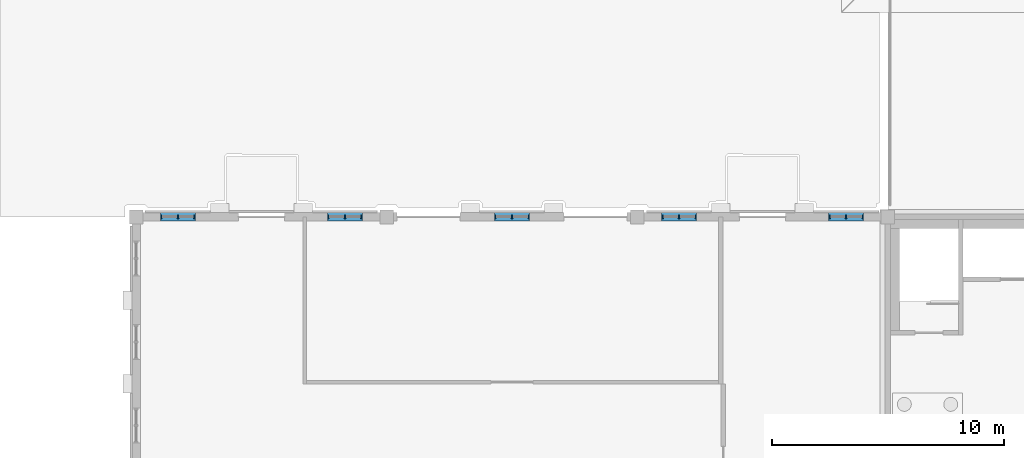
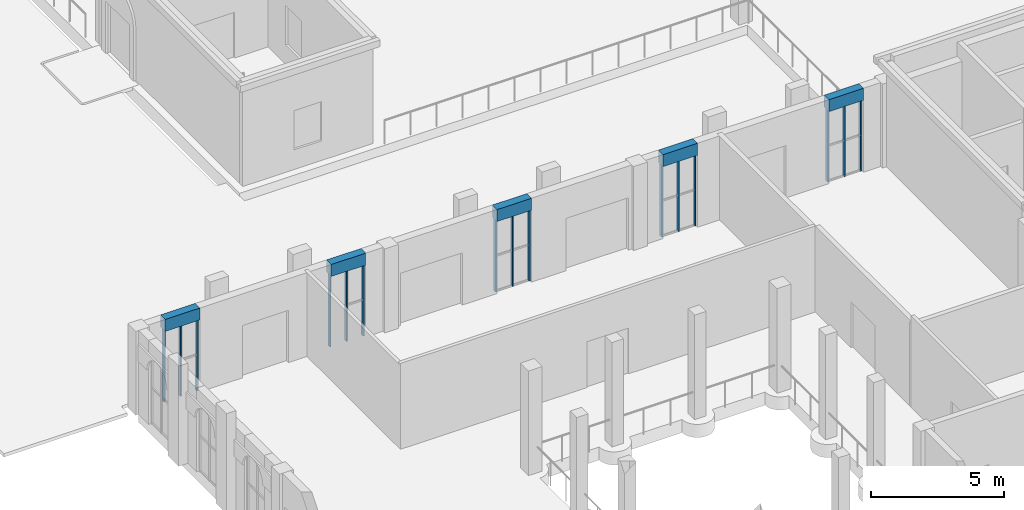
# One storey, part 15 of 91: 15 members, 5 beams, 5 elements without a shape of their own.
"""IFC4 building model written with IfcOpenShell, lengths in metres."""

from ifc_helpers import new_model, si_unit, direction, frame, origin, origin_2d, place, context, subcontext, project, spatial, rectangle, extrude, material, layer, layer_set, material_profile, profile_set, type_object, element, aggregate, save


model = new_model("IFC4")

# Units and contexts
model_context = context("Model", 3, precision=1e-05, world=origin(), true_north=direction((0.0, 1.0)))
body_context = subcontext(model_context, "Body", "Model", "MODEL_VIEW")
ifc_project = project(units=[si_unit("LENGTHUNIT", "METRE"), si_unit("AREAUNIT", "SQUARE_METRE"), si_unit("VOLUMEUNIT", "CUBIC_METRE"), si_unit("PLANEANGLEUNIT", "RADIAN"), si_unit("MASSUNIT", "GRAM", prefix="KILO")], contexts=[model_context])

# Site, building, storey
site_placement = place(None, origin())
site = spatial("IfcSite", under=ifc_project, at=site_placement, CompositionType="ELEMENT")
building_placement = place(site_placement, origin())
building = spatial("IfcBuilding", under=site, at=building_placement, Name="Magnolia Steps Interchange", CompositionType="ELEMENT")
storey_placement = place(building_placement, origin())
storey = spatial("IfcBuildingStorey", under=building, at=storey_placement, Name="L00", CompositionType="ELEMENT", Elevation=0.0)

# Curtain wall, members
ifc_material_1 = material(Name="Timber-framed glazing", Category="wood")
ifc_layer = layer(ifc_material_1, 0.139892578125)
ifc_layer_set = layer_set([ifc_layer], Name="Cycle hub shopfront curtain wall")
curtain_wall_type = type_object("IfcCurtainWallType", Name="Cycle hub shopfront curtain wall", PredefinedType="NOTDEFINED", material=ifc_layer_set)
curtain_wall_1_placement = place(storey_placement, origin())
curtain_wall_1 = element("IfcCurtainWall", 1, at=curtain_wall_1_placement, inside=storey, type_object=curtain_wall_type, Name="Cycle hub north wall L00 glazing 2", PredefinedType="NOTDEFINED")
ifc_material_2 = material(Name="White powder-coated aluminium", Category="aluminium")
ifc_material_profile_1 = material_profile(ifc_material_2, rectangle(XDim=0.06005859375, YDim=0.14990234375, at=origin_2d()), Name="Aluminium mullion 60 x 150")
ifc_profile_set_1 = profile_set([ifc_material_profile_1], Name="White powder-coated aluminium")
member_type = type_object("IfcMemberType", Name="Aluminium mullion 60 x 150", PredefinedType="MULLION", material=ifc_profile_set_1)
member_1_placement = place(storey_placement, frame((11.080078125, 42.39990234375, 0.0), z_axis=(0.0, 0.0, 1.0), x_axis=(1.0, 0.0, 0.0)))
member_1 = element("IfcMember", 2, at=member_1_placement, type_object=member_type, Name="CW7 mullion 1", PredefinedType="MULLION", context=body_context, shape_type="SweptSolid", body=[
    extrude(rectangle(XDim=0.06005859375, YDim=0.14990234375, at=origin_2d()), origin(), (0.0, 0.0, 1.0), 3.300048828125),
])
member_2_placement = place(storey_placement, frame((11.800048828125, 42.39990234375, 0.0), z_axis=(0.0, 0.0, 1.0), x_axis=(1.0, 0.0, 0.0)))
member_2 = element("IfcMember", 3, at=member_2_placement, type_object=member_type, Name="CW7 mullion 2", PredefinedType="MULLION", context=body_context, shape_type="SweptSolid", body=[
    extrude(rectangle(XDim=0.06005859375, YDim=0.14990234375, at=origin_2d()), origin(), (0.0, 0.0, 1.0), 3.300048828125),
])
member_3_placement = place(storey_placement, frame((12.52001953125, 42.39990234375, 0.0), z_axis=(0.0, 0.0, 1.0), x_axis=(1.0, 0.0, 0.0)))
member_3 = element("IfcMember", 4, at=member_3_placement, type_object=member_type, Name="CW7 mullion 3", PredefinedType="MULLION", context=body_context, shape_type="SweptSolid", body=[
    extrude(rectangle(XDim=0.06005859375, YDim=0.14990234375, at=origin_2d()), origin(), (0.0, 0.0, 1.0), 3.300048828125),
])
aggregate(curtain_wall_1, [member_1, member_2, member_3])

curtain_wall_2_placement = place(storey_placement, origin())
curtain_wall_2 = element("IfcCurtainWall", 5, at=curtain_wall_2_placement, inside=storey, type_object=curtain_wall_type, Name="Cycle hub north wall L00 glazing 4", PredefinedType="NOTDEFINED")
member_4_placement = place(storey_placement, frame((18.280029296875, 42.39990234375, 0.0), z_axis=(0.0, 0.0, 1.0), x_axis=(1.0, 0.0, 0.0)))
member_4 = element("IfcMember", 6, at=member_4_placement, type_object=member_type, Name="CW7 mullion 1", PredefinedType="MULLION", context=body_context, shape_type="SweptSolid", body=[
    extrude(rectangle(XDim=0.06005859375, YDim=0.14990234375, at=origin_2d()), origin(), (0.0, 0.0, 1.0), 3.300048828125),
])
member_5_placement = place(storey_placement, frame((19.0, 42.39990234375, 0.0), z_axis=(0.0, 0.0, 1.0), x_axis=(1.0, 0.0, 0.0)))
member_5 = element("IfcMember", 7, at=member_5_placement, type_object=member_type, Name="CW7 mullion 2", PredefinedType="MULLION", context=body_context, shape_type="SweptSolid", body=[
    extrude(rectangle(XDim=0.06005859375, YDim=0.14990234375, at=origin_2d()), origin(), (0.0, 0.0, 1.0), 3.300048828125),
])
member_6_placement = place(storey_placement, frame((19.719970703125, 42.39990234375, 0.0), z_axis=(0.0, 0.0, 1.0), x_axis=(1.0, 0.0, 0.0)))
member_6 = element("IfcMember", 8, at=member_6_placement, type_object=member_type, Name="CW7 mullion 3", PredefinedType="MULLION", context=body_context, shape_type="SweptSolid", body=[
    extrude(rectangle(XDim=0.06005859375, YDim=0.14990234375, at=origin_2d()), origin(), (0.0, 0.0, 1.0), 3.300048828125),
])
aggregate(curtain_wall_2, [member_4, member_5, member_6])

curtain_wall_3_placement = place(storey_placement, origin())
curtain_wall_3 = element("IfcCurtainWall", 9, at=curtain_wall_3_placement, inside=storey, type_object=curtain_wall_type, Name="Cycle hub north wall L00 glazing 6", PredefinedType="NOTDEFINED")
member_7_placement = place(storey_placement, frame((25.47998046875, 42.39990234375, 0.0), z_axis=(0.0, 0.0, 1.0), x_axis=(1.0, 0.0, 0.0)))
member_7 = element("IfcMember", 10, at=member_7_placement, type_object=member_type, Name="CW7 mullion 1", PredefinedType="MULLION", context=body_context, shape_type="SweptSolid", body=[
    extrude(rectangle(XDim=0.06005859375, YDim=0.14990234375, at=origin_2d()), origin(), (0.0, 0.0, 1.0), 3.300048828125),
])
member_8_placement = place(storey_placement, frame((26.199951171875, 42.39990234375, 0.0), z_axis=(0.0, 0.0, 1.0), x_axis=(1.0, 0.0, 0.0)))
member_8 = element("IfcMember", 11, at=member_8_placement, type_object=member_type, Name="CW7 mullion 2", PredefinedType="MULLION", context=body_context, shape_type="SweptSolid", body=[
    extrude(rectangle(XDim=0.06005859375, YDim=0.14990234375, at=origin_2d()), origin(), (0.0, 0.0, 1.0), 3.300048828125),
])
member_9_placement = place(storey_placement, frame((26.919921875, 42.39990234375, 0.0), z_axis=(0.0, 0.0, 1.0), x_axis=(1.0, 0.0, 0.0)))
member_9 = element("IfcMember", 12, at=member_9_placement, type_object=member_type, Name="CW7 mullion 3", PredefinedType="MULLION", context=body_context, shape_type="SweptSolid", body=[
    extrude(rectangle(XDim=0.06005859375, YDim=0.14990234375, at=origin_2d()), origin(), (0.0, 0.0, 1.0), 3.300048828125),
])
aggregate(curtain_wall_3, [member_7, member_8, member_9])

curtain_wall_4_placement = place(storey_placement, origin())
curtain_wall_4 = element("IfcCurtainWall", 13, at=curtain_wall_4_placement, inside=storey, type_object=curtain_wall_type, Name="Cycle hub north wall L00 glazing 8", PredefinedType="NOTDEFINED")
member_10_placement = place(storey_placement, frame((32.679931640625, 42.39990234375, 0.0), z_axis=(0.0, 0.0, 1.0), x_axis=(1.0, 0.0, 0.0)))
member_10 = element("IfcMember", 14, at=member_10_placement, type_object=member_type, Name="CW7 mullion 1", PredefinedType="MULLION", context=body_context, shape_type="SweptSolid", body=[
    extrude(rectangle(XDim=0.06005859375, YDim=0.14990234375, at=origin_2d()), origin(), (0.0, 0.0, 1.0), 3.300048828125),
])
member_11_placement = place(storey_placement, frame((33.39990234375, 42.39990234375, 0.0), z_axis=(0.0, 0.0, 1.0), x_axis=(1.0, 0.0, 0.0)))
member_11 = element("IfcMember", 15, at=member_11_placement, type_object=member_type, Name="CW7 mullion 2", PredefinedType="MULLION", context=body_context, shape_type="SweptSolid", body=[
    extrude(rectangle(XDim=0.06005859375, YDim=0.14990234375, at=origin_2d()), origin(), (0.0, 0.0, 1.0), 3.300048828125),
])
member_12_placement = place(storey_placement, frame((34.1201171875, 42.39990234375, 0.0), z_axis=(0.0, 0.0, 1.0), x_axis=(1.0, 0.0, 0.0)))
member_12 = element("IfcMember", 16, at=member_12_placement, type_object=member_type, Name="CW7 mullion 3", PredefinedType="MULLION", context=body_context, shape_type="SweptSolid", body=[
    extrude(rectangle(XDim=0.06005859375, YDim=0.14990234375, at=origin_2d()), origin(), (0.0, 0.0, 1.0), 3.300048828125),
])
aggregate(curtain_wall_4, [member_10, member_11, member_12])

curtain_wall_5_placement = place(storey_placement, origin())
curtain_wall_5 = element("IfcCurtainWall", 17, at=curtain_wall_5_placement, inside=storey, type_object=curtain_wall_type, Name="Cycle hub north wall L00 glazing 10", PredefinedType="NOTDEFINED")
member_13_placement = place(storey_placement, frame((39.8798828125, 42.39990234375, 0.0), z_axis=(0.0, 0.0, 1.0), x_axis=(1.0, 0.0, 0.0)))
member_13 = element("IfcMember", 18, at=member_13_placement, type_object=member_type, Name="CW7 mullion 1", PredefinedType="MULLION", context=body_context, shape_type="SweptSolid", body=[
    extrude(rectangle(XDim=0.06005859375, YDim=0.14990234375, at=origin_2d()), origin(), (0.0, 0.0, 1.0), 3.300048828125),
])
member_14_placement = place(storey_placement, frame((40.60009765625, 42.39990234375, 0.0), z_axis=(0.0, 0.0, 1.0), x_axis=(1.0, 0.0, 0.0)))
member_14 = element("IfcMember", 19, at=member_14_placement, type_object=member_type, Name="CW7 mullion 2", PredefinedType="MULLION", context=body_context, shape_type="SweptSolid", body=[
    extrude(rectangle(XDim=0.06005859375, YDim=0.14990234375, at=origin_2d()), origin(), (0.0, 0.0, 1.0), 3.300048828125),
])
member_15_placement = place(storey_placement, frame((41.320068359375, 42.39990234375, 0.0), z_axis=(0.0, 0.0, 1.0), x_axis=(1.0, 0.0, 0.0)))
member_15 = element("IfcMember", 20, at=member_15_placement, type_object=member_type, Name="CW7 mullion 3", PredefinedType="MULLION", context=body_context, shape_type="SweptSolid", body=[
    extrude(rectangle(XDim=0.06005859375, YDim=0.14990234375, at=origin_2d()), origin(), (0.0, 0.0, 1.0), 3.300048828125),
])
aggregate(curtain_wall_5, [member_13, member_14, member_15])

# Beams
ifc_material_3 = material(Name="Concrete C40", Category="concrete")
ifc_material_profile_2 = material_profile(ifc_material_3, rectangle(XDim=0.35009765625, YDim=0.550048828125, at=origin_2d()), Name="RC350x550")
ifc_profile_set_2 = profile_set([ifc_material_profile_2], Name="Concrete C40")
beam_type = type_object("IfcBeamType", Name="Lime render lintel 350x550", PredefinedType="LINTEL", material=ifc_profile_set_2)
for number, where, z_axis, x_axis, name in (
    (21, (11.050048828125, 42.39990234375, 3.574951171875), (1.0, 0.0, 0.0), (0.0, 1.0, 0.0), "Cycle hub north wall L00 lintel 2"),
    (22, (18.25, 42.39990234375, 3.574951171875), (1.0, 0.0, 0.0), (0.0, 1.0, 0.0), "Cycle hub north wall L00 lintel 4"),
    (23, (25.449951171875, 42.39990234375, 3.574951171875), (1.0, 0.0, 0.0), (0.0, 1.0, 0.0), "Cycle hub north wall L00 lintel 6"),
    (24, (32.64990234375, 42.39990234375, 3.574951171875), (1.0, 0.0, 0.0), (0.0, 1.0, 0.0), "Cycle hub north wall L00 lintel 8"),
    (25, (39.85009765625, 42.39990234375, 3.574951171875), (1.0, 0.0, 0.0), (0.0, 1.0, 0.0), "Cycle hub north wall L00 lintel 10"),
):
    element("IfcBeam", number, at=place(storey_placement, frame(where, z_axis=z_axis, x_axis=x_axis)), inside=storey, type_object=beam_type, Name=name, PredefinedType="LINTEL", context=body_context, shape_type="SweptSolid", body=[
        extrude(rectangle(XDim=0.35009765625, YDim=0.550048828125, at=origin_2d()), origin(), (0.0, 0.0, 1.0), 1.5),
    ])

save(model, "model.ifc")
